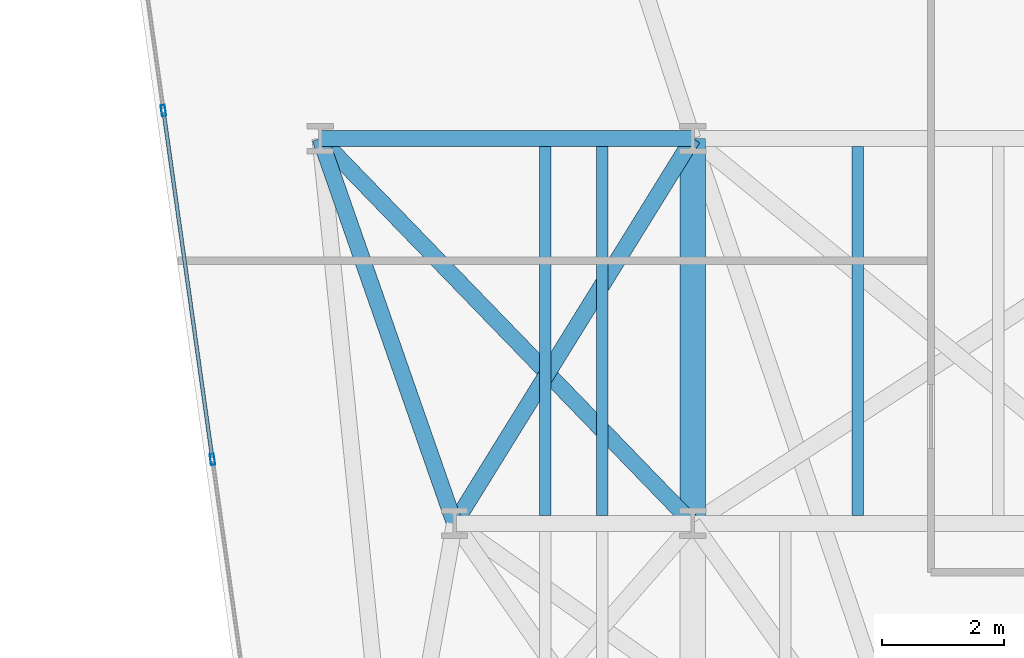
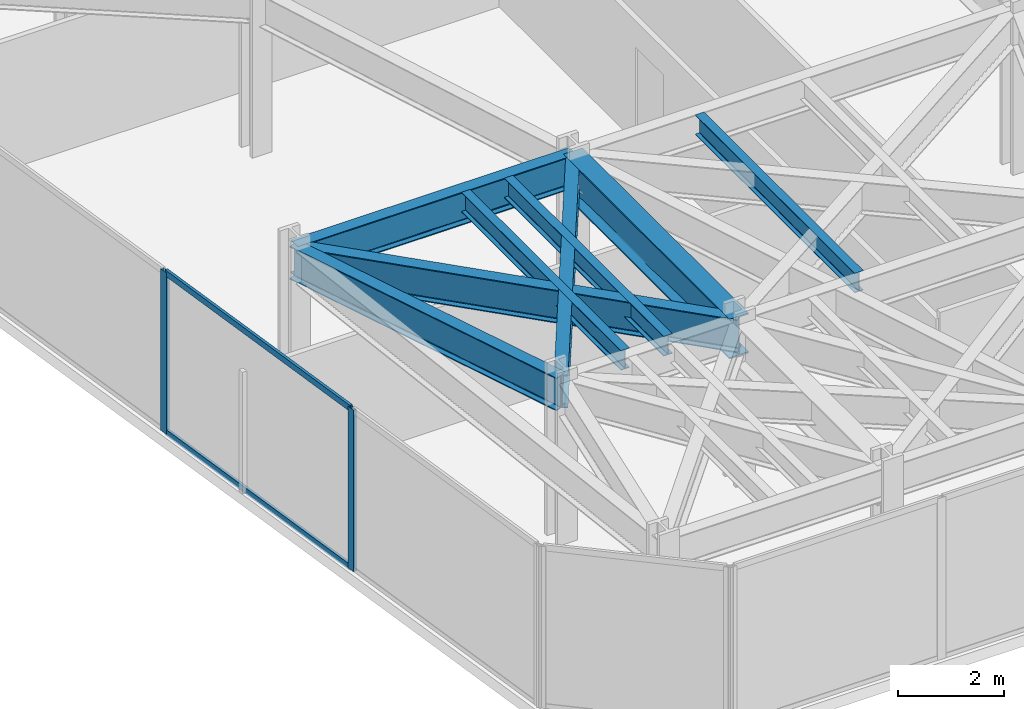
# One storey, part 4 of 24: 8 beams, 4 members, 1 element without a shape of its own.
"""IFC4 building model written with IfcOpenShell, lengths in metres."""

from ifc_helpers import new_model, si_unit, direction, frame, origin, origin_2d, place, context, subcontext, project, spatial, hollow_rectangle, i_section, extrude, material, layer, layer_set, material_profile, profile_set, type_object, element, aggregate, save


model = new_model("IFC4")

# Units and contexts
model_context = context("Model", 3, precision=1e-05, world=origin(), true_north=direction((0.0, 1.0)))
body_context = subcontext(model_context, "Body", "Model", "MODEL_VIEW")
ifc_project = project(units=[si_unit("LENGTHUNIT", "METRE"), si_unit("AREAUNIT", "SQUARE_METRE"), si_unit("VOLUMEUNIT", "CUBIC_METRE"), si_unit("PLANEANGLEUNIT", "RADIAN"), si_unit("MASSUNIT", "GRAM", prefix="KILO")], contexts=[model_context])

# Site, building, storey
site_placement = place(None, origin())
site = spatial("IfcSite", under=ifc_project, at=site_placement, CompositionType="ELEMENT")
building_placement = place(site_placement, origin())
building = spatial("IfcBuilding", under=site, at=building_placement, Name="Kravanh Interchange Tower", CompositionType="ELEMENT")
storey_placement = place(building_placement, frame((0.0, 0.0, 69.5)))
storey = spatial("IfcBuildingStorey", under=building, at=storey_placement, Name="L16", CompositionType="ELEMENT", Elevation=69.5)

# Curtain wall, members
ifc_material_1 = material(Name="Anodised Bronze Aluminium", Category="aluminium")
ifc_layer = layer(ifc_material_1, 0.179931640625)
ifc_layer_set = layer_set([ifc_layer], Name="Unitised Curtain Wall System CW-Z1 Lower Office")
curtain_wall_type = type_object("IfcCurtainWallType", Name="Unitised Curtain Wall System CW-Z1 Lower Office", PredefinedType="NOTDEFINED", material=ifc_layer_set)
curtain_wall_placement = place(storey_placement, origin())
curtain_wall = element("IfcCurtainWall", 1, at=curtain_wall_placement, inside=storey, type_object=curtain_wall_type, Name="L16 Unitised Curtain Wall CW-L16-01", PredefinedType="NOTDEFINED")
ifc_material_2 = material(Name="Anodised Bronze Aluminium", Category="aluminium")
ifc_material_profile_1 = material_profile(ifc_material_2, hollow_rectangle(XDim=0.070068359375, YDim=0.179931640625, WallThickness=0.00390625, at=origin_2d()), Name="ALU70X180X4")
ifc_profile_set_1 = profile_set([ifc_material_profile_1], Name="Anodised Bronze Aluminium")
member_type_1 = type_object("IfcMemberType", Name="Curtain Wall Mullion ALU70X180X4 Bronze", PredefinedType="MULLION", material=ifc_profile_set_1)
member_1_placement = place(storey_placement, frame((9.6376953125, 9.247314453125, 0.0), z_axis=(0.0, 0.0, 1.0), x_axis=(-0.990267585682, -0.139176538065, 0.0)))
member_1 = element("IfcMember", 2, at=member_1_placement, type_object=member_type_1, Name="CW-Z1 mullion 2", PredefinedType="MULLION", context=body_context, shape_type="SweptSolid", body=[
    extrude(hollow_rectangle(XDim=0.070068359375, YDim=0.179931640625, WallThickness=0.00390625, at=origin_2d()), origin(), (0.0, 0.0, 1.0), 3.739990234375),
])
member_2_placement = place(storey_placement, frame((8.835205078125, 14.957763671875, 0.0), z_axis=(0.0, 0.0, 1.0), x_axis=(-0.990267585682, -0.139176538065, 0.0)))
member_2 = element("IfcMember", 3, at=member_2_placement, type_object=member_type_1, Name="CW-Z1 mullion 3", PredefinedType="MULLION", context=body_context, shape_type="SweptSolid", body=[
    extrude(hollow_rectangle(XDim=0.070068359375, YDim=0.179931640625, WallThickness=0.00390625, at=origin_2d()), origin(), (0.0, 0.0, 1.0), 3.739990234375),
])
ifc_material_3 = material(Name="Anodised Bronze Aluminium", Category="aluminium")
ifc_material_profile_2 = material_profile(ifc_material_3, hollow_rectangle(XDim=0.06005859375, YDim=0.139892578125, WallThickness=0.00390625, at=origin_2d()), Name="ALU60X140X4")
ifc_profile_set_2 = profile_set([ifc_material_profile_2], Name="Anodised Bronze Aluminium")
member_type_2 = type_object("IfcMemberType", Name="Curtain Wall Transom ALU60X140X4 Bronze", PredefinedType="USERDEFINED", material=ifc_profile_set_2)
member_3_placement = place(storey_placement, frame((9.633056640625, 9.281982421875, 0.030029296875), z_axis=(-0.139200984921, 0.990264149506, 0.0), x_axis=(-0.990264149506, -0.139200984921, 0.0)))
member_3 = element("IfcMember", 4, at=member_3_placement, type_object=member_type_2, Name="CW-Z1 transom 2.1", ObjectType="TRANSOM", PredefinedType="USERDEFINED", context=body_context, shape_type="SweptSolid", body=[
    extrude(hollow_rectangle(XDim=0.06005859375, YDim=0.139892578125, WallThickness=0.00390625, at=origin_2d()), origin(), (0.0, 0.0, 1.0), 5.696533203125),
])
member_4_placement = place(storey_placement, frame((9.633056640625, 9.281982421875, 3.7099609375), z_axis=(-0.139200984921, 0.990264149506, 0.0), x_axis=(-0.990264149506, -0.139200984921, 0.0)))
member_4 = element("IfcMember", 5, at=member_4_placement, type_object=member_type_2, Name="CW-Z1 transom 2.2", ObjectType="TRANSOM", PredefinedType="USERDEFINED", context=body_context, shape_type="SweptSolid", body=[
    extrude(hollow_rectangle(XDim=0.06005859375, YDim=0.139892578125, WallThickness=0.00390625, at=origin_2d()), origin(), (0.0, 0.0, 1.0), 5.696533203125),
])
aggregate(curtain_wall, [member_1, member_2, member_3, member_4])

# Beams
ifc_material_4 = material(Name="Structural Steel S355", Category="steel")
ifc_material_profile_3 = material_profile(ifc_material_4, i_section(OverallWidth=0.41796875, OverallDepth=0.927001953125, WebThickness=0.019287109375, FlangeThickness=0.031982421875, FilletRadius=0.028076171875, at=origin_2d()), Name="W36X231")
ifc_profile_set_3 = profile_set([ifc_material_profile_3], Name="Structural Steel S355")
beam_type_1 = type_object("IfcBeamType", Name="Floor Beam W36X231 Structural Steel S355", PredefinedType="BEAM", material=ifc_profile_set_3)
beam_1_placement = place(storey_placement, frame((17.5, 8.199951171875, 3.276611328125), z_axis=(0.0, 1.0, 0.0), x_axis=(-1.0, 0.0, 0.0)))
element("IfcBeam", 6, at=beam_1_placement, inside=storey, type_object=beam_type_1, Name="L16 Primary Floor Girder 136", PredefinedType="BEAM", context=body_context, shape_type="SweptSolid", body=[
    extrude(i_section(OverallWidth=0.41796875, OverallDepth=0.927001953125, WebThickness=0.019287109375, FlangeThickness=0.031982421875, FilletRadius=0.028076171875, at=origin_2d()), origin(), (0.0, 0.0, 1.0), 6.300048828125),
])
ifc_material_5 = material(Name="Structural Steel S355", Category="steel")
ifc_material_profile_4 = material_profile(ifc_material_5, i_section(OverallWidth=0.18994140625, OverallDepth=0.45703125, WebThickness=0.009033203125, FlangeThickness=0.014404296875, FilletRadius=0.01806640625, at=origin_2d()), Name="W18X50")
ifc_profile_set_4 = profile_set([ifc_material_profile_4], Name="Structural Steel S355")
beam_type_2 = type_object("IfcBeamType", Name="Floor Joist W18X50 Structural Steel S355", PredefinedType="JOIST", material=ifc_profile_set_4)
for number, where, z_axis, x_axis, name in (
    (7, (15.08203125, 8.32861328125, 3.511474609375), (0.0, 1.0, 0.0), (-1.0, 0.0, 0.0), "L16 Secondary Floor Joist 7"),
    (8, (16.01806640625, 8.32861328125, 3.511474609375), (0.0, 1.0, 0.0), (-1.0, 0.0, 0.0), "L16 Secondary Floor Joist 8"),
    (9, (20.197998046875, 8.32861328125, 3.511474609375), (0.0, 1.0, 0.0), (-1.0, 0.0, 0.0), "L16 Secondary Floor Joist 9"),
):
    element("IfcBeam", number, at=place(storey_placement, frame(where, z_axis=z_axis, x_axis=x_axis)), inside=storey, type_object=beam_type_2, Name=name, PredefinedType="JOIST", context=body_context, shape_type="SweptSolid", body=[
        extrude(i_section(OverallWidth=0.18994140625, OverallDepth=0.45703125, WebThickness=0.009033203125, FlangeThickness=0.014404296875, FilletRadius=0.01806640625, at=origin_2d()), origin(), (0.0, 0.0, 1.0), 6.04296875),
    ])
ifc_material_6 = material(Name="Structural Steel S355", Category="steel")
ifc_material_profile_5 = material_profile(ifc_material_6, i_section(OverallWidth=0.26708984375, OverallDepth=0.761962890625, WebThickness=0.014404296875, FlangeThickness=0.021484375, FilletRadius=0.02490234375, at=origin_2d()), Name="W30X116")
ifc_profile_set_5 = profile_set([ifc_material_profile_5], Name="Structural Steel S355")
beam_type_3 = type_object("IfcBeamType", Name="Floor Spandrel W30X116 Structural Steel S355", PredefinedType="SPANDREL", material=ifc_profile_set_5)
beam_2_placement = place(storey_placement, frame((13.60009765625, 8.199951171875, 3.35888671875), z_axis=(-0.329706642337, 0.944083433812, 0.0), x_axis=(-0.944083433812, -0.329706642337, 0.0)))
element("IfcBeam", 10, at=beam_2_placement, inside=storey, type_object=beam_type_3, Name="L16 Perimeter Spandrel 134", PredefinedType="SPANDREL", context=body_context, shape_type="SweptSolid", body=[
    extrude(i_section(OverallWidth=0.26708984375, OverallDepth=0.761962890625, WebThickness=0.014404296875, FlangeThickness=0.021484375, FilletRadius=0.02490234375, at=origin_2d()), origin(), (0.0, 0.0, 1.0), 6.673095703125),
])
beam_3_placement = place(storey_placement, frame((13.60009765625, 8.199951171875, 3.35888671875), z_axis=(0.5263421368, 0.850272870923, 0.0), x_axis=(-0.850272870923, 0.5263421368, 0.0)))
element("IfcBeam", 11, at=beam_3_placement, inside=storey, type_object=beam_type_3, Name="L16 Perimeter Spandrel 135", PredefinedType="SPANDREL", context=body_context, shape_type="SweptSolid", body=[
    extrude(i_section(OverallWidth=0.26708984375, OverallDepth=0.761962890625, WebThickness=0.014404296875, FlangeThickness=0.021484375, FilletRadius=0.02490234375, at=origin_2d()), origin(), (0.0, 0.0, 1.0), 7.409423828125),
])
beam_4_placement = place(storey_placement, frame((17.5, 8.199951171875, 3.35888671875), z_axis=(-0.695614323867, 0.718415417729, 0.0), x_axis=(-0.718415417729, -0.695614323867, 0.0)))
element("IfcBeam", 12, at=beam_4_placement, inside=storey, type_object=beam_type_3, Name="L16 Perimeter Spandrel 138", PredefinedType="SPANDREL", context=body_context, shape_type="SweptSolid", body=[
    extrude(i_section(OverallWidth=0.26708984375, OverallDepth=0.761962890625, WebThickness=0.014404296875, FlangeThickness=0.021484375, FilletRadius=0.02490234375, at=origin_2d()), origin(), (0.0, 0.0, 1.0), 8.769287109375),
])
beam_5_placement = place(storey_placement, frame((11.39990234375, 14.5, 3.35888671875), z_axis=(1.0, 0.0, 0.0), x_axis=(0.0, 1.0, 0.0)))
element("IfcBeam", 13, at=beam_5_placement, inside=storey, type_object=beam_type_3, Name="L16 Perimeter Spandrel 143", PredefinedType="SPANDREL", context=body_context, shape_type="SweptSolid", body=[
    extrude(i_section(OverallWidth=0.26708984375, OverallDepth=0.761962890625, WebThickness=0.014404296875, FlangeThickness=0.021484375, FilletRadius=0.02490234375, at=origin_2d()), origin(), (0.0, 0.0, 1.0), 6.10009765625),
])

save(model, "model.ifc")
